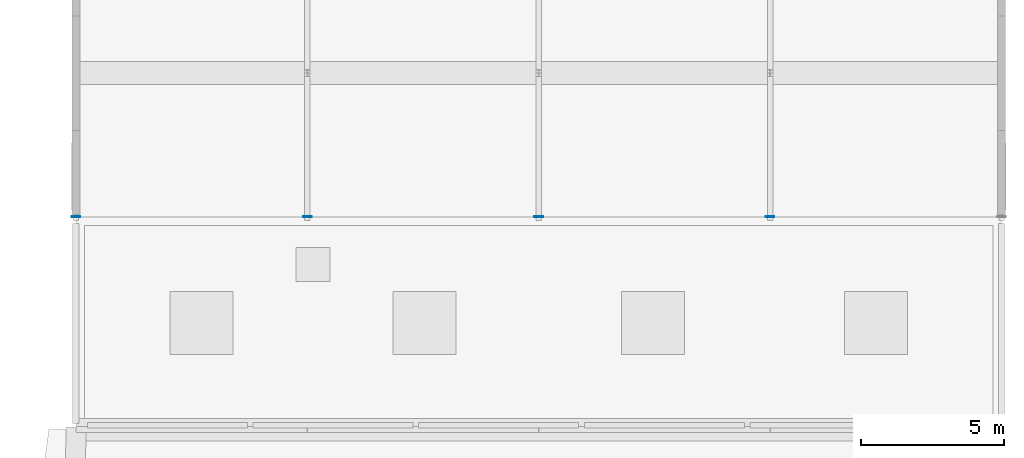
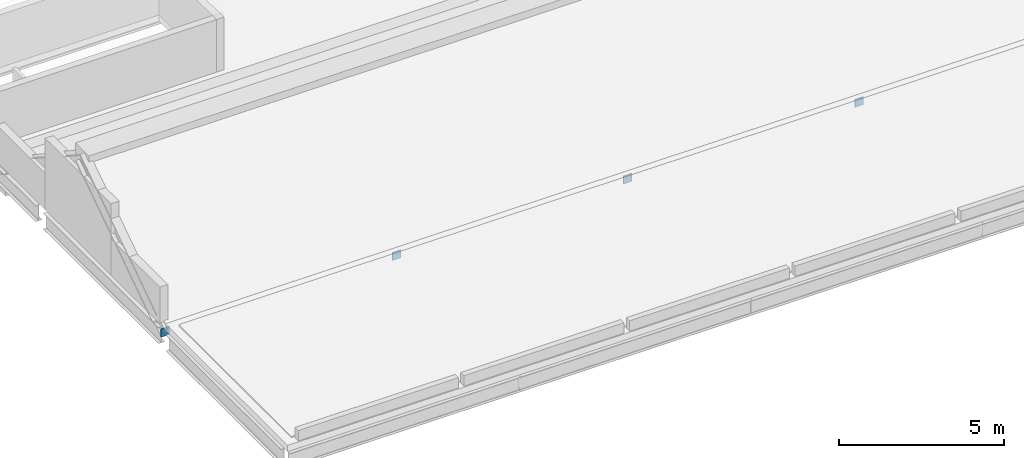
# One storey, part 5 of 9: 4 plates.
"""IFC4 building model written with IfcOpenShell, lengths in metres."""

from ifc_helpers import new_model, si_unit, direction, frame, origin, origin_2d, place, context, subcontext, project, spatial, rectangle, extrude, material, layer, layer_set, type_object, element, save


model = new_model("IFC4")

# Units and contexts
model_context = context("Model", 3, precision=1e-05, world=origin(), true_north=direction((0.0, 1.0)))
body_context = subcontext(model_context, "Body", "Model", "MODEL_VIEW")
ifc_project = project(units=[si_unit("LENGTHUNIT", "METRE"), si_unit("AREAUNIT", "SQUARE_METRE"), si_unit("VOLUMEUNIT", "CUBIC_METRE"), si_unit("PLANEANGLEUNIT", "RADIAN"), si_unit("MASSUNIT", "GRAM", prefix="KILO")], contexts=[model_context])

# Site, building, storey
site_placement = place(None, origin())
site = spatial("IfcSite", under=ifc_project, at=site_placement, CompositionType="ELEMENT")
building_placement = place(site_placement, origin())
building = spatial("IfcBuilding", under=site, at=building_placement, Name="Kaelora Sail Theatre", CompositionType="ELEMENT")
storey_placement = place(building_placement, frame((0.0, 0.0, 33.60009765625)))
storey = spatial("IfcBuildingStorey", under=building, at=storey_placement, Name="ROOF", CompositionType="ELEMENT", Elevation=33.60009765625)

# Plates
ifc_material = material(Name="Steel S355", Category="steel")
ifc_layer = layer(ifc_material, 0.02587890625)
ifc_layer_set = layer_set([ifc_layer], Name="Steel S355")
plate_type = type_object("IfcPlateType", Name="STR-PL-EP-26", PredefinedType="SHEET", material=ifc_layer_set)
for number, where, z_axis, x_axis, name in (
    (1, (25.800048828125, 68.472900390625, -0.4501953125), (0.0, 0.0, 1.0), (1.0, 0.0, 0.0), "Fly Tower south rafter 1 bolted end plate"),
    (2, (33.89990234375, 68.472900390625, -0.4501953125), (0.0, 0.0, 1.0), (1.0, 0.0, 0.0), "Fly Tower south rafter 2 bolted end plate"),
    (3, (42.0, 68.472900390625, -0.4501953125), (0.0, 0.0, 1.0), (1.0, 0.0, 0.0), "Fly Tower south rafter 3 bolted end plate"),
    (4, (50.10009765625, 68.472900390625, -0.4501953125), (0.0, 0.0, 1.0), (1.0, 0.0, 0.0), "Fly Tower south rafter 4 bolted end plate"),
):
    element("IfcPlate", number, at=place(storey_placement, frame(where, z_axis=z_axis, x_axis=x_axis)), inside=storey, type_object=plate_type, Name=name, PredefinedType="SHEET", context=body_context, shape_type="SweptSolid", body=[
        extrude(rectangle(XDim=0.300048828125, YDim=0.02587890625, at=origin_2d()), origin(), (0.0, 0.0, 1.0), 0.300048828125),
    ])

save(model, "model.ifc")
